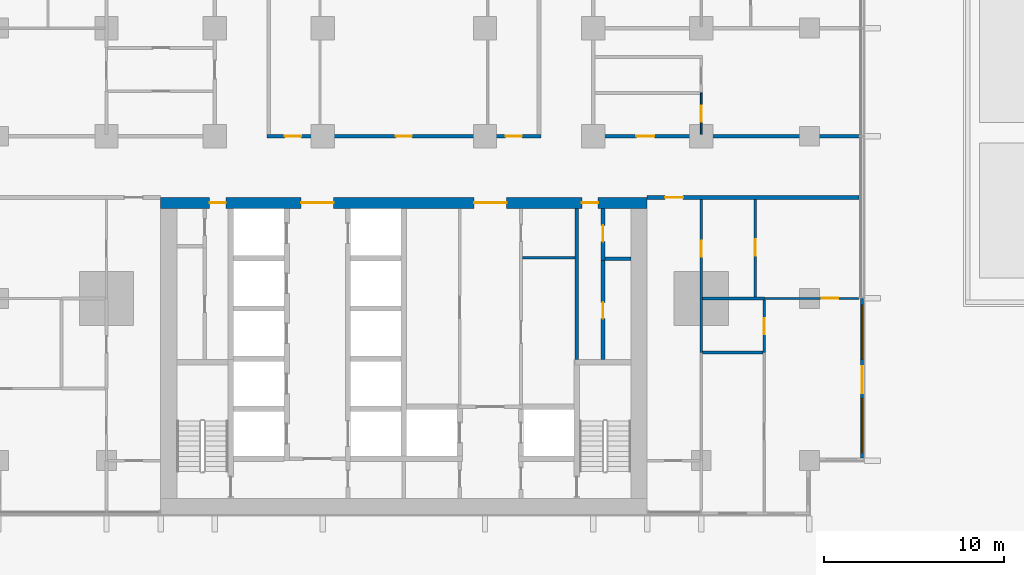
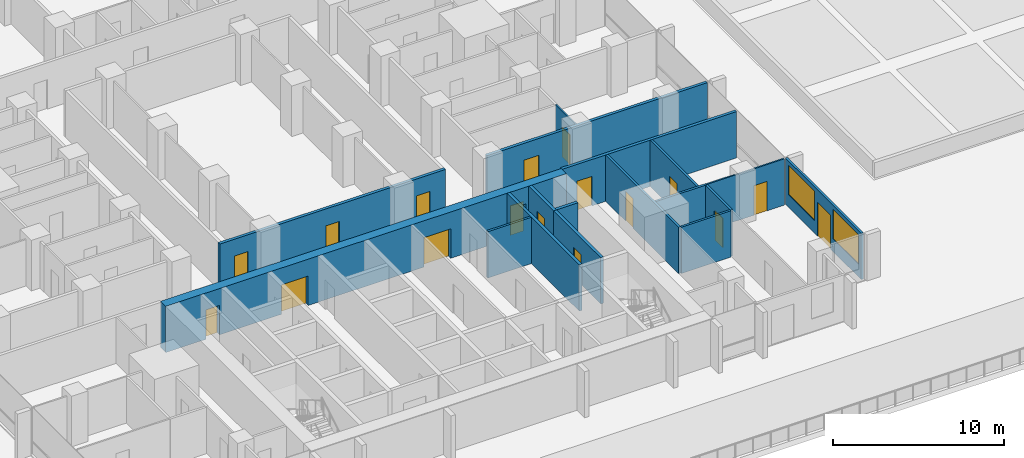
# One storey, part 12 of 25: 17 doors, 17 walls, 2 windows, 19 openings.
"""IFC4 building model written with IfcOpenShell, lengths in metres."""

import ifcopenshell
import ifcopenshell.guid

model = None  # the IFC model being written
_history = None  # IfcOwnerHistory: only IFC2X3 demands one
_inside = {}  # id of a spatial element -> (the spatial element, [elements in it])
_under = {}  # id of a project, library or spatial element -> (it, [spatial elements below it])
_declared = {}  # id of a project -> (the project, [libraries it declares])
_typed = {}  # id of a type object -> (the type object, [elements of that type])
_made_of = {}  # id of a material, layer set ... -> (it, [elements and type objects made of it])


def new_model(schema):
    """Start an empty IFC model of exactly this schema.

    Asked for "IFC4X3", IfcOpenShell would pick the latest addendum, in which some entities
    have other attributes; the version numbers below select the first issue.
    IFC2X3 requires an IfcOwnerHistory on every rooted entity: one is made here for all.
    """
    global model, _history
    if schema == "IFC4X3":
        model = ifcopenshell.file(schema_version=(4, 3, 0, 0))
    else:
        model = ifcopenshell.file(schema=schema)
    _inside.clear()
    _under.clear()
    _declared.clear()
    _typed.clear()
    _made_of.clear()
    _history = None
    if model.schema == "IFC2X3":
        org = make("IfcOrganization", Name="unknown")
        user = make(
            "IfcPersonAndOrganization",
            ThePerson=make("IfcPerson", FamilyName="unknown"),
            TheOrganization=org,
        )
        app = make(
            "IfcApplication",
            ApplicationDeveloper=org,
            Version="unknown",
            ApplicationFullName="unknown",
            ApplicationIdentifier="unknown",
        )
        _history = make(
            "IfcOwnerHistory",
            OwningUser=user,
            OwningApplication=app,
            ChangeAction="ADDED",
            CreationDate=0,
        )
    return model


def make(cls, **values):
    """One entity of the class cls with the attributes given. An attribute that is None is left unset."""
    return model.create_entity(
        cls, **{name: value for name, value in values.items() if value is not None}
    )


def rooted(cls, **values):
    """An entity with a GlobalId (a new one), such as an element, a storey or a relation."""
    return make(cls, GlobalId=ifcopenshell.guid.new(), OwnerHistory=_history, **values)


def si_unit(unit_type, name, prefix=None):
    """IfcSIUnit, for example si_unit("LENGTHUNIT", "METRE", prefix="MILLI")."""
    return make("IfcSIUnit", UnitType=unit_type, Prefix=prefix, Name=name)


def assignment(units):
    """IfcUnitAssignment: the units of a project."""
    return None if units is None else make("IfcUnitAssignment", Units=units)


def point(xyz):
    """IfcCartesianPoint."""
    return None if xyz is None else make("IfcCartesianPoint", Coordinates=xyz)


def direction(xyz):
    """IfcDirection."""
    return None if xyz is None else make("IfcDirection", DirectionRatios=xyz)


def frame(location, z_axis=None, x_axis=None):
    """IfcAxis2Placement3D, a coordinate frame: its origin and axes. An axis left out is left unset."""
    return make(
        "IfcAxis2Placement3D",
        Location=point(location),
        Axis=direction(z_axis),
        RefDirection=direction(x_axis),
    )


def frame_2d(location, x_axis=None):
    """IfcAxis2Placement2D, a coordinate frame in the plane: its origin and x axis."""
    return make(
        "IfcAxis2Placement2D", Location=point(location), RefDirection=direction(x_axis)
    )


def origin():
    """The frame at (0, 0, 0) with its axes left unset."""
    return frame((0.0, 0.0, 0.0))


def place(relative_to, where):
    """IfcLocalPlacement: puts the frame where relative to a parent placement (None: the world)."""
    return make(
        "IfcLocalPlacement", PlacementRelTo=relative_to, RelativePlacement=where
    )


def context(
    kind, dimensions, precision=None, world=None, true_north=None, identifier=None
):
    """IfcGeometricRepresentationContext, for example the 3D "Model" context."""
    return make(
        "IfcGeometricRepresentationContext",
        ContextIdentifier=identifier,
        ContextType=kind,
        CoordinateSpaceDimension=dimensions,
        Precision=precision,
        WorldCoordinateSystem=world,
        TrueNorth=true_north,
    )


def subcontext(parent, identifier, kind, view, scale=None):
    """IfcGeometricRepresentationSubContext, for example "Body" below "Model"."""
    return make(
        "IfcGeometricRepresentationSubContext",
        ContextIdentifier=identifier,
        ContextType=kind,
        ParentContext=parent,
        TargetScale=scale,
        TargetView=view,
    )


def project(units=None, contexts=None):
    """IfcProject with its units and contexts."""
    return rooted(
        "IfcProject",
        Name="project",
        RepresentationContexts=contexts,
        UnitsInContext=assignment(units),
    )


def spatial(cls, under=None, at=None, **own):
    """A site, building, storey or space (cls), placed at a placement, below another one or the project."""
    s = rooted(cls, ObjectPlacement=at, **own)
    if under is not None:
        _under.setdefault(under.id(), (under, []))[1].append(s)
    return s


def profile(cls, at=None, kind="AREA", **sizes):
    """A parametric profile (cls). Its sizes go by their IFC names, for example OverallWidth=200.0."""
    return make(cls, ProfileType=kind, Position=at, **sizes)


def rectangle(**sizes):
    """IfcRectangleProfileDef."""
    return profile("IfcRectangleProfileDef", **sizes)


def extrude(swept, where, along, depth):
    """IfcExtrudedAreaSolid: the profile swept, set in the frame where, extruded along a direction by depth."""
    return make(
        "IfcExtrudedAreaSolid",
        SweptArea=swept,
        Position=where,
        ExtrudedDirection=direction(along),
        Depth=depth,
    )


def shape(context_of_items, identifier, shape_type, items):
    """IfcShapeRepresentation: the items that make up one representation, for example the "Body"."""
    return make(
        "IfcShapeRepresentation",
        ContextOfItems=context_of_items,
        RepresentationIdentifier=identifier,
        RepresentationType=shape_type,
        Items=items,
    )


def material(Name=None, Category=None):
    """IfcMaterial."""
    return make("IfcMaterial", Name=Name, Category=Category)


def layer(
    of_material, thickness, ventilated=None, Name=None, Category=None, Priority=None
):
    """IfcMaterialLayer: one layer of a wall or slab, of a material (None: an air gap)."""
    return make(
        "IfcMaterialLayer",
        Material=of_material,
        LayerThickness=thickness,
        IsVentilated=ventilated,
        Name=Name,
        Category=Category,
        Priority=Priority,
    )


def layer_set(layers, Name=None):
    """IfcMaterialLayerSet."""
    return make("IfcMaterialLayerSet", MaterialLayers=layers, LayerSetName=Name)


def made_of(thing, what):
    """Note that an element or type object is made of a material, layer set ...; save() writes the relation."""
    if what is not None:
        _made_of.setdefault(what.id(), (what, []))[1].append(thing)
    return thing


def type_object(cls, material=None, **own):
    """A type object (cls), such as IfcWallType, which elements share."""
    return made_of(rooted(cls, **own), material)


def element(
    cls,
    number,
    at=None,
    inside=None,
    cuts=None,
    type_object=None,
    material=None,
    context=None,
    identifier="Body",
    shape_type=None,
    held_by="IfcProductDefinitionShape",
    body=None,
    shapes=None,
    **own,
):
    """One element of the class cls, such as IfcWall. Its Tag is "e" and its number.

    at: its placement. inside: the storey or other place that contains it. cuts: it is an
    opening in that element (IfcRelVoidsElement). A single representation is given by context,
    identifier, shape_type and body (its items); several are given by shapes. held_by: the class
    of the entity that holds the representations. save() writes the other relations.
    """
    e = rooted(cls, Tag="e%d" % number, ObjectPlacement=at, **own)
    if body is not None:
        shapes = [shape(context, identifier, shape_type, body)]
    if shapes is not None:
        e.Representation = make(held_by, Representations=shapes)
    if inside is not None:
        _inside.setdefault(inside.id(), (inside, []))[1].append(e)
    if cuts is not None:
        rooted(
            "IfcRelVoidsElement", RelatingBuildingElement=cuts, RelatedOpeningElement=e
        )
    if type_object is not None:
        _typed.setdefault(type_object.id(), (type_object, []))[1].append(e)
    return made_of(e, material)


def fill(opening, filler):
    """IfcRelFillsElement: the door or window that sits in an opening."""
    return rooted(
        "IfcRelFillsElement",
        RelatingOpeningElement=opening,
        RelatedBuildingElement=filler,
    )


def aggregate(whole, parts):
    """IfcRelAggregates: a whole, such as a stair, and the parts it consists of."""
    return rooted("IfcRelAggregates", RelatingObject=whole, RelatedObjects=parts)


def save(model, path):
    """Write the relations noted so far, then the file.

    IfcRelAggregates (storeys below a building ...), IfcRelContainedInSpatialStructure (elements
    in a storey), IfcRelDefinesByType, IfcRelAssociatesMaterial and IfcRelDeclares: one each for
    every whole, place, type object, material and project.
    """
    for whole, parts in _under.values():
        aggregate(whole, parts)
    for where, things in _inside.values():
        rooted(
            "IfcRelContainedInSpatialStructure",
            RelatedElements=things,
            RelatingStructure=where,
        )
    for kind, things in _typed.values():
        rooted("IfcRelDefinesByType", RelatedObjects=things, RelatingType=kind)
    for what, things in _made_of.values():
        rooted("IfcRelAssociatesMaterial", RelatedObjects=things, RelatingMaterial=what)
    for by, libraries in _declared.values():
        rooted("IfcRelDeclares", RelatingContext=by, RelatedDefinitions=libraries)
    model.write(path)


model = new_model("IFC4")

# Units and contexts
model_context = context("Model", 3, precision=1e-05, world=origin(), true_north=direction((0.0, 1.0)))
body_context = subcontext(model_context, "Body", "Model", "MODEL_VIEW")
ifc_project = project(units=[si_unit("LENGTHUNIT", "METRE"), si_unit("AREAUNIT", "SQUARE_METRE"), si_unit("VOLUMEUNIT", "CUBIC_METRE"), si_unit("PLANEANGLEUNIT", "RADIAN"), si_unit("MASSUNIT", "GRAM", prefix="KILO")], contexts=[model_context])

# Site, building, storey
site_placement = place(None, origin())
site = spatial("IfcSite", under=ifc_project, at=site_placement, CompositionType="ELEMENT")
building_placement = place(site_placement, origin())
building = spatial("IfcBuilding", under=site, at=building_placement, Name="Finial Court Residences", CompositionType="ELEMENT")
storey_placement = place(building_placement, frame((0.0, 0.0, 32.5)))
storey = spatial("IfcBuildingStorey", under=building, at=storey_placement, Name="L06", CompositionType="ELEMENT", Elevation=32.5)

# Wall, openings, doors
ifc_material_1 = material(Name="Concrete C80/95", Category="concrete")
ifc_layer_1 = layer(ifc_material_1, 0.60009765625)
ifc_layer_set_1 = layer_set([ifc_layer_1], Name="Core outer wall 600 Concrete C80/95")
wall_type_1 = type_object("IfcWallType", Name="Core outer wall 600 Concrete C80/95", PredefinedType="SHEAR", material=ifc_layer_set_1)
wall_1_placement = place(storey_placement, frame((-13.5, -8.199951171875, 0.0), z_axis=(0.0, 0.0, 1.0), x_axis=(1.0, 0.0, 0.0)))
wall_1 = element("IfcWall", 1, at=wall_1_placement, inside=storey, type_object=wall_type_1, Name="Core outer wall L06-02", PredefinedType="SHEAR", context=body_context, shape_type="SweptSolid", body=[
    extrude(rectangle(XDim=27.0, YDim=0.60009765625, at=frame_2d((13.5, 0.0))), origin(), (0.0, 0.0, 1.0), 3.300048828125),
])
opening_1_placement = place(wall_1_placement, frame((7.800048828125, 0.0, 0.0)))
opening_1 = element("IfcOpeningElement", 2, at=opening_1_placement, cuts=wall_1, Name="Opening L06-C04", PredefinedType="OPENING", context=body_context, shape_type="SweptSolid", body=[
    extrude(rectangle(XDim=1.800048828125, YDim=2.10009765625, at=frame_2d((0.89990234375, 1.050048828125))), frame((0.0, 0.31005859375, 0.0), z_axis=(0.0, -1.0, 0.0), x_axis=(1.0, 0.0, 0.0)), (0.0, 0.0, 1.0), 0.6201171875),
])
opening_2_placement = place(wall_1_placement, frame((17.39990234375, 0.0, 0.0)))
opening_2 = element("IfcOpeningElement", 3, at=opening_2_placement, cuts=wall_1, Name="Opening L06-C05", PredefinedType="OPENING", context=body_context, shape_type="SweptSolid", body=[
    extrude(rectangle(XDim=1.800048828125, YDim=2.10009765625, at=frame_2d((0.89990234375, 1.050048828125))), frame((0.0, 0.31005859375, 0.0), z_axis=(0.0, -1.0, 0.0), x_axis=(1.0, 0.0, 0.0)), (0.0, 0.0, 1.0), 0.6201171875),
])
opening_3_placement = place(wall_1_placement, frame((2.72509765625, 0.0, 0.0)))
opening_3 = element("IfcOpeningElement", 4, at=opening_3_placement, cuts=wall_1, Name="Opening L06-C09", PredefinedType="OPENING", context=body_context, shape_type="SweptSolid", body=[
    extrude(rectangle(XDim=0.89990234375, YDim=2.10009765625, at=frame_2d((0.449951171875, 1.050048828125))), frame((0.0, 0.31005859375, 0.0), z_axis=(0.0, -1.0, 0.0), x_axis=(1.0, 0.0, 0.0)), (0.0, 0.0, 1.0), 0.6201171875),
])
opening_4_placement = place(wall_1_placement, frame((23.375, 0.0, 0.0)))
opening_4 = element("IfcOpeningElement", 5, at=opening_4_placement, cuts=wall_1, Name="Opening L06-C10", PredefinedType="OPENING", context=body_context, shape_type="SweptSolid", body=[
    extrude(rectangle(XDim=0.89990234375, YDim=2.10009765625, at=frame_2d((0.449951171875, 1.050048828125))), frame((0.0, 0.31005859375, 0.0), z_axis=(0.0, -1.0, 0.0), x_axis=(1.0, 0.0, 0.0)), (0.0, 0.0, 1.0), 0.6201171875),
])
ifc_material_2 = material(Name="Steel fire door", Category="steel")
door_type_1 = type_object("IfcDoorType", Name="Lift lobby door 1800 x 2100 EI 60", OperationType="DOUBLE_DOOR_SINGLE_SWING", PredefinedType="DOOR", material=ifc_material_2)
door_1_placement = place(opening_1_placement, origin())
door_1 = element("IfcDoor", 6, at=door_1_placement, inside=storey, type_object=door_type_1, Name="Lift lobby door L06-C04", OperationType="DOUBLE_DOOR_SINGLE_SWING", OverallHeight=2.10009765625, OverallWidth=1.800048828125, PredefinedType="DOOR", context=body_context, shape_type="SweptSolid", body=[
    extrude(rectangle(XDim=1.800048828125, YDim=2.10009765625, at=frame_2d((0.89990234375, 1.050048828125))), frame((0.0, 0.02490234375, 0.0), z_axis=(0.0, -1.0, 0.0), x_axis=(1.0, 0.0, 0.0)), (0.0, 0.0, 1.0), 0.050048828125),
])
fill(opening_1, door_1)
door_2_placement = place(opening_2_placement, origin())
door_2 = element("IfcDoor", 7, at=door_2_placement, inside=storey, type_object=door_type_1, Name="Lift lobby door L06-C05", OperationType="DOUBLE_DOOR_SINGLE_SWING", OverallHeight=2.10009765625, OverallWidth=1.800048828125, PredefinedType="DOOR", context=body_context, shape_type="SweptSolid", body=[
    extrude(rectangle(XDim=1.800048828125, YDim=2.10009765625, at=frame_2d((0.89990234375, 1.050048828125))), frame((0.0, 0.02490234375, 0.0), z_axis=(0.0, -1.0, 0.0), x_axis=(1.0, 0.0, 0.0)), (0.0, 0.0, 1.0), 0.050048828125),
])
fill(opening_2, door_2)
door_type_2 = type_object("IfcDoorType", Name="Riser room door 900 x 2100 EI 90", OperationType="NOTDEFINED", PredefinedType="DOOR", material=ifc_material_2)
door_3_placement = place(opening_3_placement, origin())
door_3 = element("IfcDoor", 8, at=door_3_placement, inside=storey, type_object=door_type_2, Name="Riser room door L06-C09", OperationType="SINGLE_SWING_RIGHT", OverallHeight=2.10009765625, OverallWidth=0.89990234375, PredefinedType="DOOR", context=body_context, shape_type="SweptSolid", body=[
    extrude(rectangle(XDim=0.89990234375, YDim=2.10009765625, at=frame_2d((0.449951171875, 1.050048828125))), frame((0.0, 0.02490234375, 0.0), z_axis=(0.0, -1.0, 0.0), x_axis=(1.0, 0.0, 0.0)), (0.0, 0.0, 1.0), 0.050048828125),
])
fill(opening_3, door_3)
door_4_placement = place(opening_4_placement, origin())
door_4 = element("IfcDoor", 9, at=door_4_placement, inside=storey, type_object=door_type_2, Name="Riser room door L06-C10", OperationType="SINGLE_SWING_LEFT", OverallHeight=2.10009765625, OverallWidth=0.89990234375, PredefinedType="DOOR", context=body_context, shape_type="SweptSolid", body=[
    extrude(rectangle(XDim=0.89990234375, YDim=2.10009765625, at=frame_2d((0.449951171875, 1.050048828125))), frame((0.0, 0.02490234375, 0.0), z_axis=(0.0, -1.0, 0.0), x_axis=(1.0, 0.0, 0.0)), (0.0, 0.0, 1.0), 0.050048828125),
])
fill(opening_4, door_4)

# Wall
ifc_material_3 = material(Name="Fire-rated gypsum board partition")
ifc_layer_2 = layer(ifc_material_3, 0.14990234375)
ifc_layer_set_2 = layer_set([ifc_layer_2], Name="Core room partition 150 EI 60")
wall_type_2 = type_object("IfcWallType", Name="Core room partition 150 EI 60", PredefinedType="PARTITIONING", material=ifc_layer_set_2)
wall_2_placement = place(storey_placement, frame((6.574951171875, -11.25, 0.0), z_axis=(0.0, 0.0, 1.0), x_axis=(1.0, 0.0, 0.0)))
element("IfcWall", 10, at=wall_2_placement, inside=storey, type_object=wall_type_2, Name="Core partition L06-19", PredefinedType="PARTITIONING", context=body_context, shape_type="SweptSolid", body=[
    extrude(rectangle(XDim=2.925048828125, YDim=0.14990234375, at=frame_2d((1.46240234375, 0.0))), origin(), (0.0, 0.0, 1.0), 3.300048828125),
])

# Wall, opening, door
ifc_material_4 = material(Name="Gypsum board")
ifc_layer_3 = layer(ifc_material_4, 0.02490234375)
ifc_material_5 = material(Name="Acoustic mineral wool in double frame")
ifc_layer_4 = layer(ifc_material_5, 0.14990234375)
ifc_layer_5 = layer(ifc_material_4, 0.02490234375)
ifc_layer_set_3 = layer_set([ifc_layer_3, ifc_layer_4, ifc_layer_5], Name="Corridor wall 200, 1 hour")
wall_type_3 = type_object("IfcWallType", Name="Corridor wall 200, 1 hour", PredefinedType="PARTITIONING", material=ifc_layer_set_3)
wall_3_placement = place(storey_placement, frame((13.5, -7.89990234375, 0.0), z_axis=(0.0, 0.0, 1.0), x_axis=(1.0, 0.0, 0.0)))
wall_3 = element("IfcWall", 11, at=wall_3_placement, inside=storey, type_object=wall_type_3, Name="Partition L06-010", PredefinedType="PARTITIONING", context=body_context, shape_type="SweptSolid", body=[
    extrude(rectangle(XDim=11.75, YDim=0.199951171875, at=frame_2d((5.875, 0.0))), origin(), (0.0, 0.0, 1.0), 3.300048828125),
])
opening_5_placement = place(wall_3_placement, frame((1.0, 0.0, 0.0)))
opening_5 = element("IfcOpeningElement", 12, at=opening_5_placement, cuts=wall_3, Name="Opening L06-D006", PredefinedType="OPENING", context=body_context, shape_type="SweptSolid", body=[
    extrude(rectangle(XDim=1.0, YDim=2.10009765625, at=frame_2d((0.5, 1.050048828125))), frame((0.0, 0.10986328125, 0.0), z_axis=(0.0, -1.0, 0.0), x_axis=(1.0, 0.0, 0.0)), (0.0, 0.0, 1.0), 0.219970703125),
])
ifc_material_6 = material(Name="Timber door leaf in hollow metal frame", Category="wood")
door_type_3 = type_object("IfcDoorType", Name="Fire door set 1000 x 2100, 30 minutes", OperationType="SINGLE_SWING_LEFT", PredefinedType="DOOR", material=ifc_material_6)
door_5_placement = place(opening_5_placement, origin())
door_5 = element("IfcDoor", 13, at=door_5_placement, inside=storey, type_object=door_type_3, Name="Door L06-D006", OperationType="SINGLE_SWING_LEFT", OverallHeight=2.10009765625, OverallWidth=1.0, PredefinedType="DOOR", context=body_context, shape_type="SweptSolid", body=[
    extrude(rectangle(XDim=1.0, YDim=2.10009765625, at=frame_2d((0.5, 1.050048828125))), frame((0.0, 0.02490234375, 0.0), z_axis=(0.0, -1.0, 0.0), x_axis=(1.0, 0.0, 0.0)), (0.0, 0.0, 1.0), 0.050048828125),
])
fill(opening_5, door_5)

# Wall, openings, doors
wall_4_placement = place(storey_placement, frame((-7.60009765625, -4.5, 0.0), z_axis=(0.0, 0.0, 1.0), x_axis=(1.0, 0.0, 0.0)))
wall_4 = element("IfcWall", 14, at=wall_4_placement, inside=storey, type_object=wall_type_3, Name="Partition L06-012", PredefinedType="PARTITIONING", context=body_context, shape_type="SweptSolid", body=[
    extrude(rectangle(XDim=15.2001953125, YDim=0.199951171875, at=frame_2d((7.60009765625, 0.0))), origin(), (0.0, 0.0, 1.0), 3.300048828125),
])
opening_6_placement = place(wall_4_placement, frame((1.0, 0.0, 0.0)))
opening_6 = element("IfcOpeningElement", 15, at=opening_6_placement, cuts=wall_4, Name="Opening L06-D007", PredefinedType="OPENING", context=body_context, shape_type="SweptSolid", body=[
    extrude(rectangle(XDim=0.89990234375, YDim=2.10009765625, at=frame_2d((0.449951171875, 1.050048828125))), frame((0.0, 0.10986328125, 0.0), z_axis=(0.0, -1.0, 0.0), x_axis=(1.0, 0.0, 0.0)), (0.0, 0.0, 1.0), 0.219970703125),
])
opening_7_placement = place(wall_4_placement, frame((7.14990234375, 0.0, 0.0)))
opening_7 = element("IfcOpeningElement", 16, at=opening_7_placement, cuts=wall_4, Name="Opening L06-D008", PredefinedType="OPENING", context=body_context, shape_type="SweptSolid", body=[
    extrude(rectangle(XDim=0.89990234375, YDim=2.10009765625, at=frame_2d((0.449951171875, 1.050048828125))), frame((0.0, 0.10986328125, 0.0), z_axis=(0.0, -1.0, 0.0), x_axis=(1.0, 0.0, 0.0)), (0.0, 0.0, 1.0), 0.219970703125),
])
opening_8_placement = place(wall_4_placement, frame((13.25, 0.0, 0.0)))
opening_8 = element("IfcOpeningElement", 17, at=opening_8_placement, cuts=wall_4, Name="Opening L06-D009", PredefinedType="OPENING", context=body_context, shape_type="SweptSolid", body=[
    extrude(rectangle(XDim=0.89990234375, YDim=2.10009765625, at=frame_2d((0.449951171875, 1.050048828125))), frame((0.0, 0.10986328125, 0.0), z_axis=(0.0, -1.0, 0.0), x_axis=(1.0, 0.0, 0.0)), (0.0, 0.0, 1.0), 0.219970703125),
])
door_type_4 = type_object("IfcDoorType", Name="Fire door set 900 x 2100, 30 minutes", OperationType="SINGLE_SWING_LEFT", PredefinedType="DOOR", material=ifc_material_6)
door_6_placement = place(opening_6_placement, origin())
door_6 = element("IfcDoor", 18, at=door_6_placement, inside=storey, type_object=door_type_4, Name="Door L06-D007", OperationType="SINGLE_SWING_RIGHT", OverallHeight=2.10009765625, OverallWidth=0.89990234375, PredefinedType="DOOR", context=body_context, shape_type="SweptSolid", body=[
    extrude(rectangle(XDim=0.89990234375, YDim=2.10009765625, at=frame_2d((0.449951171875, 1.050048828125))), frame((0.0, 0.02490234375, 0.0), z_axis=(0.0, -1.0, 0.0), x_axis=(1.0, 0.0, 0.0)), (0.0, 0.0, 1.0), 0.050048828125),
])
fill(opening_6, door_6)
door_7_placement = place(opening_7_placement, origin())
door_7 = element("IfcDoor", 19, at=door_7_placement, inside=storey, type_object=door_type_4, Name="Door L06-D008", OperationType="SINGLE_SWING_LEFT", OverallHeight=2.10009765625, OverallWidth=0.89990234375, PredefinedType="DOOR", context=body_context, shape_type="SweptSolid", body=[
    extrude(rectangle(XDim=0.89990234375, YDim=2.10009765625, at=frame_2d((0.449951171875, 1.050048828125))), frame((0.0, 0.02490234375, 0.0), z_axis=(0.0, -1.0, 0.0), x_axis=(1.0, 0.0, 0.0)), (0.0, 0.0, 1.0), 0.050048828125),
])
fill(opening_7, door_7)
door_8_placement = place(opening_8_placement, origin())
door_8 = element("IfcDoor", 20, at=door_8_placement, inside=storey, type_object=door_type_4, Name="Door L06-D009", OperationType="SINGLE_SWING_LEFT", OverallHeight=2.10009765625, OverallWidth=0.89990234375, PredefinedType="DOOR", context=body_context, shape_type="SweptSolid", body=[
    extrude(rectangle(XDim=0.89990234375, YDim=2.10009765625, at=frame_2d((0.449951171875, 1.050048828125))), frame((0.0, 0.02490234375, 0.0), z_axis=(0.0, -1.0, 0.0), x_axis=(1.0, 0.0, 0.0)), (0.0, 0.0, 1.0), 0.050048828125),
])
fill(opening_8, door_8)

# Wall, opening, door
wall_5_placement = place(storey_placement, frame((10.39990234375, -4.5, 0.0), z_axis=(0.0, 0.0, 1.0), x_axis=(1.0, 0.0, 0.0)))
wall_5 = element("IfcWall", 21, at=wall_5_placement, inside=storey, type_object=wall_type_3, Name="Partition L06-013", PredefinedType="PARTITIONING", context=body_context, shape_type="SweptSolid", body=[
    extrude(rectangle(XDim=14.85009765625, YDim=0.199951171875, at=frame_2d((7.425048828125, 0.0))), origin(), (0.0, 0.0, 1.0), 3.300048828125),
])
opening_9_placement = place(wall_5_placement, frame((2.5, 0.0, 0.0)))
opening_9 = element("IfcOpeningElement", 22, at=opening_9_placement, cuts=wall_5, Name="Opening L06-D010", PredefinedType="OPENING", context=body_context, shape_type="SweptSolid", body=[
    extrude(rectangle(XDim=1.0, YDim=2.10009765625, at=frame_2d((0.5, 1.050048828125))), frame((0.0, 0.10986328125, 0.0), z_axis=(0.0, -1.0, 0.0), x_axis=(1.0, 0.0, 0.0)), (0.0, 0.0, 1.0), 0.219970703125),
])
door_9_placement = place(opening_9_placement, origin())
door_9 = element("IfcDoor", 23, at=door_9_placement, inside=storey, type_object=door_type_3, Name="Door L06-D010", OperationType="SINGLE_SWING_RIGHT", OverallHeight=2.10009765625, OverallWidth=1.0, PredefinedType="DOOR", context=body_context, shape_type="SweptSolid", body=[
    extrude(rectangle(XDim=1.0, YDim=2.10009765625, at=frame_2d((0.5, 1.050048828125))), frame((0.0, 0.02490234375, 0.0), z_axis=(0.0, -1.0, 0.0), x_axis=(1.0, 0.0, 0.0)), (0.0, 0.0, 1.0), 0.050048828125),
])
fill(opening_9, door_9)

ifc_layer_6 = layer(ifc_material_4, 0.012451171875)
ifc_material_7 = material(Name="Mineral wool in light-gauge frame")
ifc_layer_7 = layer(ifc_material_7, 0.074951171875)
ifc_layer_8 = layer(ifc_material_4, 0.012451171875)
ifc_layer_set_4 = layer_set([ifc_layer_6, ifc_layer_7, ifc_layer_8], Name="Gypsum board partition 100")
wall_type_4 = type_object("IfcWallType", Name="Gypsum board partition 100", PredefinedType="PARTITIONING", material=ifc_layer_set_4)
wall_6_placement = place(storey_placement, frame((20.0, -13.5, 0.0), z_axis=(0.0, 0.0, 1.0), x_axis=(1.0, 0.0, 0.0)))
wall_6 = element("IfcWall", 24, at=wall_6_placement, inside=storey, type_object=wall_type_4, Name="Partition L06-006", PredefinedType="PARTITIONING", context=body_context, shape_type="SweptSolid", body=[
    extrude(rectangle(XDim=5.25, YDim=0.10009765625, at=frame_2d((2.625, 0.0))), origin(), (0.0, 0.0, 1.0), 3.300048828125),
])
opening_10_placement = place(wall_6_placement, frame((3.199951171875, 0.0, 0.0)))
opening_10 = element("IfcOpeningElement", 25, at=opening_10_placement, cuts=wall_6, Name="Opening L06-D004", PredefinedType="OPENING", context=body_context, shape_type="SweptSolid", body=[
    extrude(rectangle(XDim=0.89990234375, YDim=2.10009765625, at=frame_2d((0.449951171875, 1.050048828125))), frame((0.0, 0.06005859375, 0.0), z_axis=(0.0, -1.0, 0.0), x_axis=(1.0, 0.0, 0.0)), (0.0, 0.0, 1.0), 0.1201171875),
])
ifc_material_8 = material(Name="Timber door leaf in timber frame", Category="wood")
door_type_5 = type_object("IfcDoorType", Name="Door set 900 x 2100", OperationType="SINGLE_SWING_LEFT", PredefinedType="DOOR", material=ifc_material_8)
door_10_placement = place(opening_10_placement, origin())
door_10 = element("IfcDoor", 26, at=door_10_placement, inside=storey, type_object=door_type_5, Name="Door L06-D004", OperationType="SINGLE_SWING_RIGHT", OverallHeight=2.10009765625, OverallWidth=0.89990234375, PredefinedType="DOOR", context=body_context, shape_type="SweptSolid", body=[
    extrude(rectangle(XDim=0.89990234375, YDim=2.10009765625, at=frame_2d((0.449951171875, 1.050048828125))), frame((0.0, 0.02490234375, 0.0), z_axis=(0.0, -1.0, 0.0), x_axis=(1.0, 0.0, 0.0)), (0.0, 0.0, 1.0), 0.050048828125),
])
fill(opening_10, door_10)

wall_7_placement = place(storey_placement, frame((16.5, -4.39990234375, 0.0), z_axis=(0.0, 0.0, 1.0), x_axis=(0.0, 1.0, 0.0)))
wall_7 = element("IfcWall", 27, at=wall_7_placement, inside=storey, type_object=wall_type_4, Name="Partition L06-079", PredefinedType="PARTITIONING", context=body_context, shape_type="SweptSolid", body=[
    extrude(rectangle(XDim=2.2998046875, YDim=0.10009765625, at=frame_2d((1.14990234375, 0.0))), origin(), (0.0, 0.0, 1.0), 3.300048828125),
])
opening_11_placement = place(wall_7_placement, frame((0.699951171875, 0.0, 0.0)))
opening_11 = element("IfcOpeningElement", 28, at=opening_11_placement, cuts=wall_7, Name="Opening L06-D048", PredefinedType="OPENING", context=body_context, shape_type="SweptSolid", body=[
    extrude(rectangle(XDim=0.89990234375, YDim=2.10009765625, at=frame_2d((0.449951171875, 1.050048828125))), frame((0.0, 0.06005859375, 0.0), z_axis=(0.0, -1.0, 0.0), x_axis=(1.0, 0.0, 0.0)), (0.0, 0.0, 1.0), 0.1201171875),
])
door_11_placement = place(opening_11_placement, origin())
door_11 = element("IfcDoor", 29, at=door_11_placement, inside=storey, type_object=door_type_5, Name="Door L06-D048", OperationType="SINGLE_SWING_RIGHT", OverallHeight=2.10009765625, OverallWidth=0.89990234375, PredefinedType="DOOR", context=body_context, shape_type="SweptSolid", body=[
    extrude(rectangle(XDim=0.89990234375, YDim=2.10009765625, at=frame_2d((0.449951171875, 1.050048828125))), frame((0.0, 0.02490234375, 0.0), z_axis=(0.0, -1.0, 0.0), x_axis=(1.0, 0.0, 0.0)), (0.0, 0.0, 1.0), 0.050048828125),
])
fill(opening_11, door_11)

# Walls
ifc_material_9 = material(Name="Moisture-resistant gypsum board")
ifc_layer_9 = layer(ifc_material_9, 0.012451171875)
ifc_layer_10 = layer(ifc_material_7, 0.125)
ifc_layer_11 = layer(ifc_material_9, 0.012451171875)
ifc_layer_set_5 = layer_set([ifc_layer_9, ifc_layer_10, ifc_layer_11], Name="Gypsum board wet-area partition 150")
wall_type_5 = type_object("IfcWallType", Name="Gypsum board wet-area partition 150", PredefinedType="PARTITIONING", material=ifc_layer_set_5)
wall_8_placement = place(storey_placement, frame((16.574951171875, -16.5, 0.0), z_axis=(0.0, 0.0, 1.0), x_axis=(1.0, 0.0, 0.0)))
element("IfcWall", 30, at=wall_8_placement, inside=storey, type_object=wall_type_5, Name="Partition L06-004", PredefinedType="PARTITIONING", context=body_context, shape_type="SweptSolid", body=[
    extrude(rectangle(XDim=3.35009765625, YDim=0.14990234375, at=frame_2d((1.675048828125, 0.0))), origin(), (0.0, 0.0, 1.0), 3.300048828125),
])
wall_9_placement = place(storey_placement, frame((16.574951171875, -13.5, 0.0), z_axis=(0.0, 0.0, 1.0), x_axis=(1.0, 0.0, 0.0)))
element("IfcWall", 31, at=wall_9_placement, inside=storey, type_object=wall_type_5, Name="Partition L06-008", PredefinedType="PARTITIONING", context=body_context, shape_type="SweptSolid", body=[
    extrude(rectangle(XDim=3.425048828125, YDim=0.14990234375, at=frame_2d((1.71240234375, 0.0))), origin(), (0.0, 0.0, 1.0), 3.300048828125),
])

# Wall, opening, door
wall_10_placement = place(storey_placement, frame((16.5, -16.5, 0.0), z_axis=(0.0, 0.0, 1.0), x_axis=(0.0, 1.0, 0.0)))
wall_10 = element("IfcWall", 32, at=wall_10_placement, inside=storey, type_object=wall_type_5, Name="Partition L06-085", PredefinedType="PARTITIONING", context=body_context, shape_type="SweptSolid", body=[
    extrude(rectangle(XDim=8.5, YDim=0.14990234375, at=frame_2d((4.25, 0.0))), origin(), (0.0, 0.0, 1.0), 3.300048828125),
])
opening_12_placement = place(wall_10_placement, frame((5.300048828125, 0.0, 0.0)))
opening_12 = element("IfcOpeningElement", 33, at=opening_12_placement, cuts=wall_10, Name="Opening L06-D050", PredefinedType="OPENING", context=body_context, shape_type="SweptSolid", body=[
    extrude(rectangle(XDim=0.89990234375, YDim=2.10009765625, at=frame_2d((0.449951171875, 1.050048828125))), frame((0.0, 0.0849609375, 0.0), z_axis=(0.0, -1.0, 0.0), x_axis=(1.0, 0.0, 0.0)), (0.0, 0.0, 1.0), 0.169921875),
])
door_12_placement = place(opening_12_placement, origin())
door_12 = element("IfcDoor", 34, at=door_12_placement, inside=storey, type_object=door_type_5, Name="Door L06-D050", OperationType="SINGLE_SWING_RIGHT", OverallHeight=2.10009765625, OverallWidth=0.89990234375, PredefinedType="DOOR", context=body_context, shape_type="SweptSolid", body=[
    extrude(rectangle(XDim=0.89990234375, YDim=2.10009765625, at=frame_2d((0.449951171875, 1.050048828125))), frame((0.0, 0.02490234375, 0.0), z_axis=(0.0, -1.0, 0.0), x_axis=(1.0, 0.0, 0.0)), (0.0, 0.0, 1.0), 0.050048828125),
])
fill(opening_12, door_12)

wall_11_placement = place(storey_placement, frame((19.5, -13.425048828125, 0.0), z_axis=(0.0, 0.0, 1.0), x_axis=(0.0, 1.0, 0.0)))
wall_11 = element("IfcWall", 35, at=wall_11_placement, inside=storey, type_object=wall_type_5, Name="Partition L06-093", PredefinedType="PARTITIONING", context=body_context, shape_type="SweptSolid", body=[
    extrude(rectangle(XDim=5.425048828125, YDim=0.14990234375, at=frame_2d((2.71240234375, 0.0))), origin(), (0.0, 0.0, 1.0), 3.300048828125),
])
opening_13_placement = place(wall_11_placement, frame((2.300048828125, 0.0, 0.0)))
opening_13 = element("IfcOpeningElement", 36, at=opening_13_placement, cuts=wall_11, Name="Opening L06-D057", PredefinedType="OPENING", context=body_context, shape_type="SweptSolid", body=[
    extrude(rectangle(XDim=0.89990234375, YDim=2.10009765625, at=frame_2d((0.449951171875, 1.050048828125))), frame((0.0, 0.0849609375, 0.0), z_axis=(0.0, -1.0, 0.0), x_axis=(1.0, 0.0, 0.0)), (0.0, 0.0, 1.0), 0.169921875),
])
door_13_placement = place(opening_13_placement, origin())
door_13 = element("IfcDoor", 37, at=door_13_placement, inside=storey, type_object=door_type_5, Name="Door L06-D057", OperationType="SINGLE_SWING_RIGHT", OverallHeight=2.10009765625, OverallWidth=0.89990234375, PredefinedType="DOOR", context=body_context, shape_type="SweptSolid", body=[
    extrude(rectangle(XDim=0.89990234375, YDim=2.10009765625, at=frame_2d((0.449951171875, 1.050048828125))), frame((0.0, 0.02490234375, 0.0), z_axis=(0.0, -1.0, 0.0), x_axis=(1.0, 0.0, 0.0)), (0.0, 0.0, 1.0), 0.050048828125),
])
fill(opening_13, door_13)

wall_12_placement = place(storey_placement, frame((20.0, -16.5, 0.0), z_axis=(0.0, 0.0, 1.0), x_axis=(0.0, 1.0, 0.0)))
wall_12 = element("IfcWall", 38, at=wall_12_placement, inside=storey, type_object=wall_type_5, Name="Partition L06-095", PredefinedType="PARTITIONING", context=body_context, shape_type="SweptSolid", body=[
    extrude(rectangle(XDim=2.925048828125, YDim=0.14990234375, at=frame_2d((1.46240234375, 0.0))), origin(), (0.0, 0.0, 1.0), 3.300048828125),
])
opening_14_placement = place(wall_12_placement, frame((1.0, 0.0, 0.0)))
opening_14 = element("IfcOpeningElement", 39, at=opening_14_placement, cuts=wall_12, Name="Opening L06-D059", PredefinedType="OPENING", context=body_context, shape_type="SweptSolid", body=[
    extrude(rectangle(XDim=0.89990234375, YDim=2.10009765625, at=frame_2d((0.449951171875, 1.050048828125))), frame((0.0, 0.0849609375, 0.0), z_axis=(0.0, -1.0, 0.0), x_axis=(1.0, 0.0, 0.0)), (0.0, 0.0, 1.0), 0.169921875),
])
door_14_placement = place(opening_14_placement, origin())
door_14 = element("IfcDoor", 40, at=door_14_placement, inside=storey, type_object=door_type_5, Name="Door L06-D059", OperationType="SINGLE_SWING_LEFT", OverallHeight=2.10009765625, OverallWidth=0.89990234375, PredefinedType="DOOR", context=body_context, shape_type="SweptSolid", body=[
    extrude(rectangle(XDim=0.89990234375, YDim=2.10009765625, at=frame_2d((0.449951171875, 1.050048828125))), frame((0.0, 0.02490234375, 0.0), z_axis=(0.0, -1.0, 0.0), x_axis=(1.0, 0.0, 0.0)), (0.0, 0.0, 1.0), 0.050048828125),
])
fill(opening_14, door_14)

# Wall, openings, door, windows
ifc_material_10 = material(Name="Natural limestone", Category="masonry")
ifc_layer_12 = layer(ifc_material_10, 0.14990234375)
ifc_layer_set_6 = layer_set([ifc_layer_12], Name="Limestone clad wall 150")
wall_type_6 = type_object("IfcWallType", Name="Limestone clad wall 150", PredefinedType="SOLIDWALL", material=ifc_layer_set_6)
wall_13_placement = place(storey_placement, frame((25.425048828125, -13.5, 0.0), z_axis=(0.0, 0.0, 1.0), x_axis=(0.0, -1.0, 0.0)))
wall_13 = element("IfcWall", 41, at=wall_13_placement, inside=storey, type_object=wall_type_6, Name="E-L06-L06-TD2-W", PredefinedType="SOLIDWALL", context=body_context, shape_type="SweptSolid", body=[
    extrude(rectangle(XDim=8.85009765625, YDim=0.14990234375, at=frame_2d((4.425048828125, 0.0))), origin(), (0.0, 0.0, 1.0), 3.300048828125),
])
opening_15_placement = place(wall_13_placement, frame((3.75, 0.0, 0.0)))
opening_15 = element("IfcOpeningElement", 42, at=opening_15_placement, cuts=wall_13, Name="Opening DE06-02", PredefinedType="OPENING", context=body_context, shape_type="SweptSolid", body=[
    extrude(rectangle(XDim=1.5, YDim=2.39990234375, at=frame_2d((0.75, 1.199951171875))), frame((0.0, 0.0849609375, 0.0), z_axis=(0.0, -1.0, 0.0), x_axis=(1.0, 0.0, 0.0)), (0.0, 0.0, 1.0), 0.169921875),
])
opening_16_placement = place(wall_13_placement, frame((5.550048828125, 0.0, 0.89990234375)))
opening_16 = element("IfcOpeningElement", 43, at=opening_16_placement, cuts=wall_13, Name="Opening WE06-11", PredefinedType="OPENING", context=body_context, shape_type="SweptSolid", body=[
    extrude(rectangle(XDim=3.0, YDim=2.10009765625, at=frame_2d((1.5, 1.050048828125))), frame((0.0, 0.0849609375, 0.0), z_axis=(0.0, -1.0, 0.0), x_axis=(1.0, 0.0, 0.0)), (0.0, 0.0, 1.0), 0.169921875),
])
opening_17_placement = place(wall_13_placement, frame((0.375, 0.0, 0.89990234375)))
opening_17 = element("IfcOpeningElement", 44, at=opening_17_placement, cuts=wall_13, Name="Opening WE06-12", PredefinedType="OPENING", context=body_context, shape_type="SweptSolid", body=[
    extrude(rectangle(XDim=3.0, YDim=2.10009765625, at=frame_2d((1.5, 1.050048828125))), frame((0.0, 0.0849609375, 0.0), z_axis=(0.0, -1.0, 0.0), x_axis=(1.0, 0.0, 0.0)), (0.0, 0.0, 1.0), 0.169921875),
])
ifc_material_11 = material(Name="Bronze anodised aluminium", Category="aluminium")
door_type_6 = type_object("IfcDoorType", Name="Terrace door 1500 x 2400", OperationType="DOUBLE_DOOR_SINGLE_SWING", PredefinedType="DOOR", material=ifc_material_11)
door_15_placement = place(opening_15_placement, origin())
door_15 = element("IfcDoor", 45, at=door_15_placement, inside=storey, type_object=door_type_6, Name="E-L06-L06-TD2-W-D", OperationType="DOUBLE_DOOR_SINGLE_SWING", OverallHeight=2.39990234375, OverallWidth=1.5, PredefinedType="DOOR", context=body_context, shape_type="SweptSolid", body=[
    extrude(rectangle(XDim=1.5, YDim=2.39990234375, at=frame_2d((0.75, 1.199951171875))), frame((0.0, 0.02490234375, 0.0), z_axis=(0.0, -1.0, 0.0), x_axis=(1.0, 0.0, 0.0)), (0.0, 0.0, 1.0), 0.050048828125),
])
fill(opening_15, door_15)
ifc_material_12 = material(Name="Clear low-e glass", Category="glass")
window_type = type_object("IfcWindowType", Name="Terrace window 3000 x 2100", PartitioningType="SINGLE_PANEL", PredefinedType="WINDOW", material=ifc_material_12)
window_1_placement = place(opening_16_placement, origin())
window_1 = element("IfcWindow", 46, at=window_1_placement, inside=storey, type_object=window_type, Name="E-L06-L06-TD2-W-W1", OverallHeight=2.10009765625, OverallWidth=3.0, PartitioningType="SINGLE_PANEL", PredefinedType="WINDOW", context=body_context, shape_type="SweptSolid", body=[
    extrude(rectangle(XDim=3.0, YDim=2.10009765625, at=frame_2d((1.5, 1.050048828125))), frame((0.0, 0.030029296875, 0.0), z_axis=(0.0, -1.0, 0.0), x_axis=(1.0, 0.0, 0.0)), (0.0, 0.0, 1.0), 0.06005859375),
])
fill(opening_16, window_1)
window_2_placement = place(opening_17_placement, origin())
window_2 = element("IfcWindow", 47, at=window_2_placement, inside=storey, type_object=window_type, Name="E-L06-L06-TD2-W-W2", OverallHeight=2.10009765625, OverallWidth=3.0, PartitioningType="SINGLE_PANEL", PredefinedType="WINDOW", context=body_context, shape_type="SweptSolid", body=[
    extrude(rectangle(XDim=3.0, YDim=2.10009765625, at=frame_2d((1.5, 1.050048828125))), frame((0.0, 0.030029296875, 0.0), z_axis=(0.0, -1.0, 0.0), x_axis=(1.0, 0.0, 0.0)), (0.0, 0.0, 1.0), 0.06005859375),
])
fill(opening_17, window_2)

# Wall
ifc_layer_13 = layer(ifc_material_3, 0.199951171875)
ifc_layer_set_7 = layer_set([ifc_layer_13], Name="Riser room wall 200 EI 120")
wall_type_7 = type_object("IfcWallType", Name="Riser room wall 200 EI 120", PredefinedType="PARTITIONING", material=ifc_layer_set_7)
wall_14_placement = place(storey_placement, frame((11.14990234375, -11.300048828125, 0.0), z_axis=(0.0, 0.0, 1.0), x_axis=(1.0, 0.0, 0.0)))
element("IfcWall", 48, at=wall_14_placement, inside=storey, type_object=wall_type_7, Name="Core partition L06-16", PredefinedType="PARTITIONING", context=body_context, shape_type="SweptSolid", body=[
    extrude(rectangle(XDim=1.4501953125, YDim=0.199951171875, at=frame_2d((0.72509765625, 0.0))), origin(), (0.0, 0.0, 1.0), 3.300048828125),
])

# Wall, opening, door
wall_15_placement = place(storey_placement, frame((11.050048828125, -8.5, 0.0), z_axis=(0.0, 0.0, 1.0), x_axis=(0.0, -1.0, 0.0)))
wall_15 = element("IfcWall", 49, at=wall_15_placement, inside=storey, type_object=wall_type_7, Name="Core partition L06-39", PredefinedType="PARTITIONING", context=body_context, shape_type="SweptSolid", body=[
    extrude(rectangle(XDim=2.89990234375, YDim=0.199951171875, at=frame_2d((1.449951171875, 0.0))), origin(), (0.0, 0.0, 1.0), 3.300048828125),
])
opening_18_placement = place(wall_15_placement, frame((0.949951171875, 0.0, 0.0)))
opening_18 = element("IfcOpeningElement", 50, at=opening_18_placement, cuts=wall_15, Name="Opening L06-C08", PredefinedType="OPENING", context=body_context, shape_type="SweptSolid", body=[
    extrude(rectangle(XDim=0.89990234375, YDim=2.10009765625, at=frame_2d((0.449951171875, 1.050048828125))), frame((0.0, 0.10986328125, 0.0), z_axis=(0.0, -1.0, 0.0), x_axis=(1.0, 0.0, 0.0)), (0.0, 0.0, 1.0), 0.219970703125),
])
door_16_placement = place(opening_18_placement, origin())
door_16 = element("IfcDoor", 51, at=door_16_placement, inside=storey, type_object=door_type_2, Name="Riser room door L06-C08", OperationType="SINGLE_SWING_RIGHT", OverallHeight=2.10009765625, OverallWidth=0.89990234375, PredefinedType="DOOR", context=body_context, shape_type="SweptSolid", body=[
    extrude(rectangle(XDim=0.89990234375, YDim=2.10009765625, at=frame_2d((0.449951171875, 1.050048828125))), frame((0.0, 0.02490234375, 0.0), z_axis=(0.0, -1.0, 0.0), x_axis=(1.0, 0.0, 0.0)), (0.0, 0.0, 1.0), 0.050048828125),
])
fill(opening_18, door_16)

# Wall
ifc_layer_14 = layer(ifc_material_3, 0.199951171875)
ifc_layer_set_8 = layer_set([ifc_layer_14], Name="Stair passage wall 200 EI 180")
wall_type_8 = type_object("IfcWallType", Name="Stair passage wall 200 EI 180", PredefinedType="PARTITIONING", material=ifc_layer_set_8)
wall_16_placement = place(storey_placement, frame((9.60009765625, -16.89990234375, 0.0), z_axis=(0.0, 0.0, 1.0), x_axis=(0.0, 1.0, 0.0)))
element("IfcWall", 52, at=wall_16_placement, inside=storey, type_object=wall_type_8, Name="Core partition L06-37", PredefinedType="PARTITIONING", context=body_context, shape_type="SweptSolid", body=[
    extrude(rectangle(XDim=8.39990234375, YDim=0.199951171875, at=frame_2d((4.199951171875, 0.0))), origin(), (0.0, 0.0, 1.0), 3.300048828125),
])

# Wall, opening, door
wall_17_placement = place(storey_placement, frame((11.050048828125, -11.199951171875, 0.0), z_axis=(0.0, 0.0, 1.0), x_axis=(0.0, -1.0, 0.0)))
wall_17 = element("IfcWall", 53, at=wall_17_placement, inside=storey, type_object=wall_type_8, Name="Core partition L06-38", PredefinedType="PARTITIONING", context=body_context, shape_type="SweptSolid", body=[
    extrude(rectangle(XDim=5.699951171875, YDim=0.199951171875, at=frame_2d((2.85009765625, 0.0))), origin(), (0.0, 0.0, 1.0), 3.300048828125),
])
opening_19_placement = place(wall_17_placement, frame((2.52490234375, 0.0, 0.0)))
opening_19 = element("IfcOpeningElement", 54, at=opening_19_placement, cuts=wall_17, Name="Opening L06-C13", PredefinedType="OPENING", context=body_context, shape_type="SweptSolid", body=[
    extrude(rectangle(XDim=0.89990234375, YDim=2.10009765625, at=frame_2d((0.449951171875, 1.050048828125))), frame((0.0, 0.10986328125, 0.0), z_axis=(0.0, -1.0, 0.0), x_axis=(1.0, 0.0, 0.0)), (0.0, 0.0, 1.0), 0.219970703125),
])
door_type_7 = type_object("IfcDoorType", Name="Core room door 900 x 2100 EI 60", OperationType="NOTDEFINED", PredefinedType="DOOR", material=ifc_material_2)
door_17_placement = place(opening_19_placement, origin())
door_17 = element("IfcDoor", 55, at=door_17_placement, inside=storey, type_object=door_type_7, Name="Core room door L06-C13", OperationType="SINGLE_SWING_RIGHT", OverallHeight=2.10009765625, OverallWidth=0.89990234375, PredefinedType="DOOR", context=body_context, shape_type="SweptSolid", body=[
    extrude(rectangle(XDim=0.89990234375, YDim=2.10009765625, at=frame_2d((0.449951171875, 1.050048828125))), frame((0.0, 0.02490234375, 0.0), z_axis=(0.0, -1.0, 0.0), x_axis=(1.0, 0.0, 0.0)), (0.0, 0.0, 1.0), 0.050048828125),
])
fill(opening_19, door_17)

save(model, "model.ifc")
